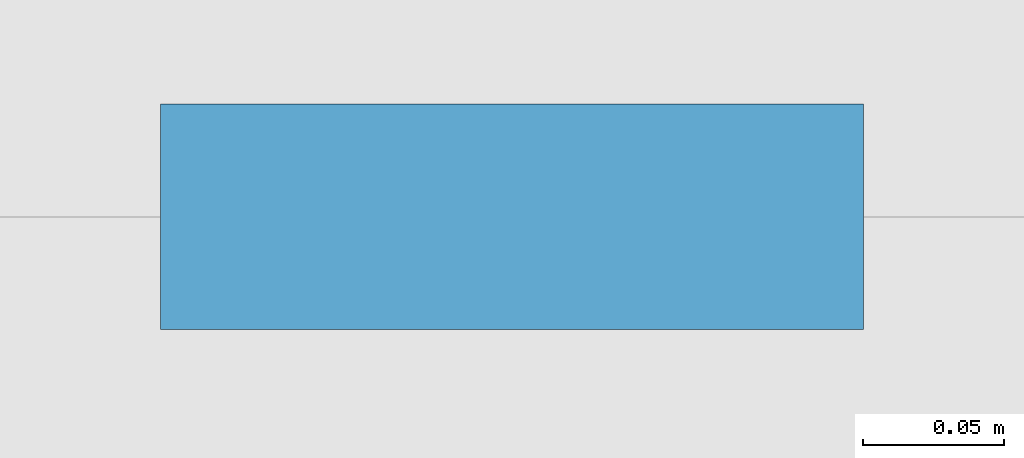
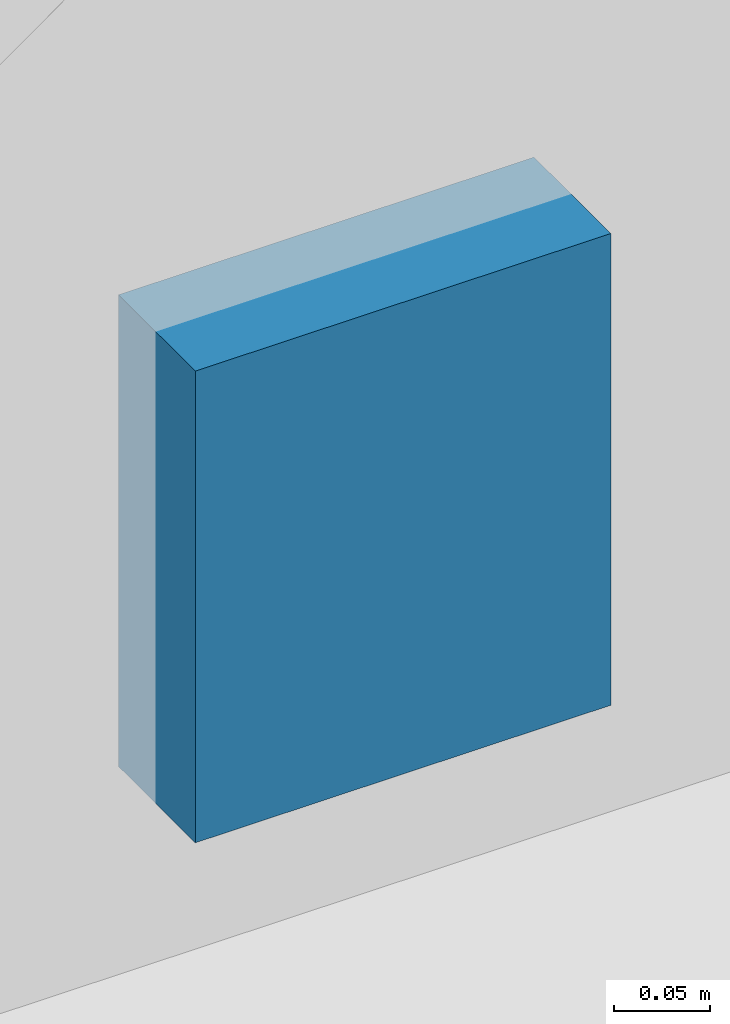
# One storey, part 99 of 130: 1 discrete accessory.
"""IFC4 building model written with IfcOpenShell, lengths in metres."""

from ifc_helpers import new_model, si_unit, direction, frame, origin, origin_2d, place, context, subcontext, project, spatial, rectangle, extrude, material, layer, layer_set, type_object, element, save


model = new_model("IFC4")

# Units and contexts
model_context = context("Model", 3, precision=1e-05, world=origin(), true_north=direction((0.0, 1.0)))
body_context = subcontext(model_context, "Body", "Model", "MODEL_VIEW")
ifc_project = project(units=[si_unit("LENGTHUNIT", "METRE"), si_unit("AREAUNIT", "SQUARE_METRE"), si_unit("VOLUMEUNIT", "CUBIC_METRE"), si_unit("PLANEANGLEUNIT", "RADIAN"), si_unit("MASSUNIT", "GRAM", prefix="KILO")], contexts=[model_context])

# Site, building, storey
site_placement = place(None, origin())
site = spatial("IfcSite", under=ifc_project, at=site_placement, CompositionType="ELEMENT")
building_placement = place(site_placement, origin())
building = spatial("IfcBuilding", under=site, at=building_placement, Name="Ogive Plaza Stadium", CompositionType="ELEMENT")
storey_placement = place(building_placement, frame((0.0, 0.0, 22.5)))
storey = spatial("IfcBuildingStorey", under=building, at=storey_placement, Name="L05", CompositionType="ELEMENT", Elevation=22.5)

# Discrete accessory
ifc_material = material(Name="Steel ASTM A572 Grade 50", Category="steel")
ifc_layer = layer(ifc_material, 0.080078125)
ifc_layer_set = layer_set([ifc_layer], Name="Steel ASTM A572 Grade 50")
discrete_accessory_type = type_object("IfcDiscreteAccessoryType", Name="Spandrel cladding bracket 250x300", PredefinedType="BRACKET", material=ifc_layer_set)
discrete_accessory_placement = place(storey_placement, frame((27.199951171875, 102.85009765625, -1.31005859375), z_axis=(0.0, 0.0, 1.0), x_axis=(1.0, 0.0, 0.0)))
element("IfcDiscreteAccessory", 1, at=discrete_accessory_placement, inside=storey, type_object=discrete_accessory_type, Name="SPANDREL BRACKET B36 L05", PredefinedType="BRACKET", context=body_context, shape_type="SweptSolid", body=[
    extrude(rectangle(XDim=0.25, YDim=0.080078125, at=origin_2d()), origin(), (0.0, 0.0, 1.0), 0.300048828125),
])

save(model, "model.ifc")
